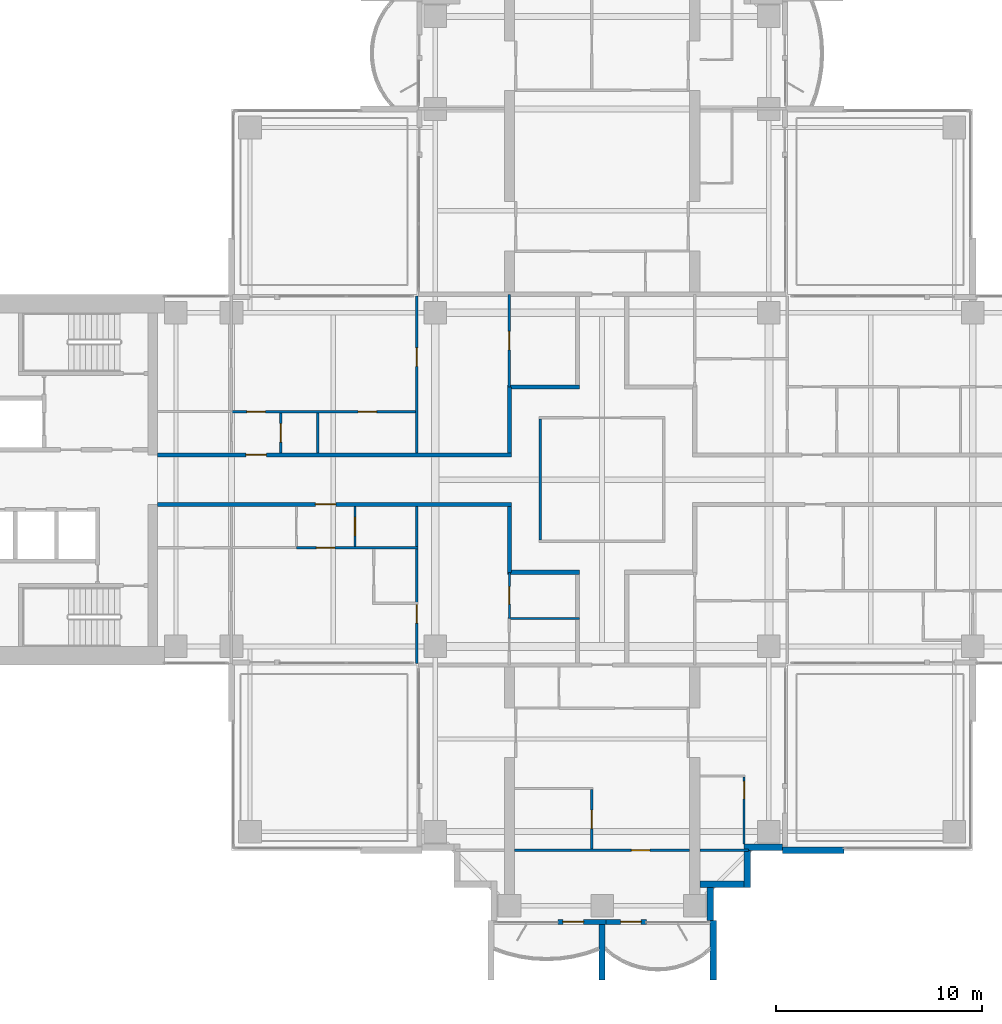
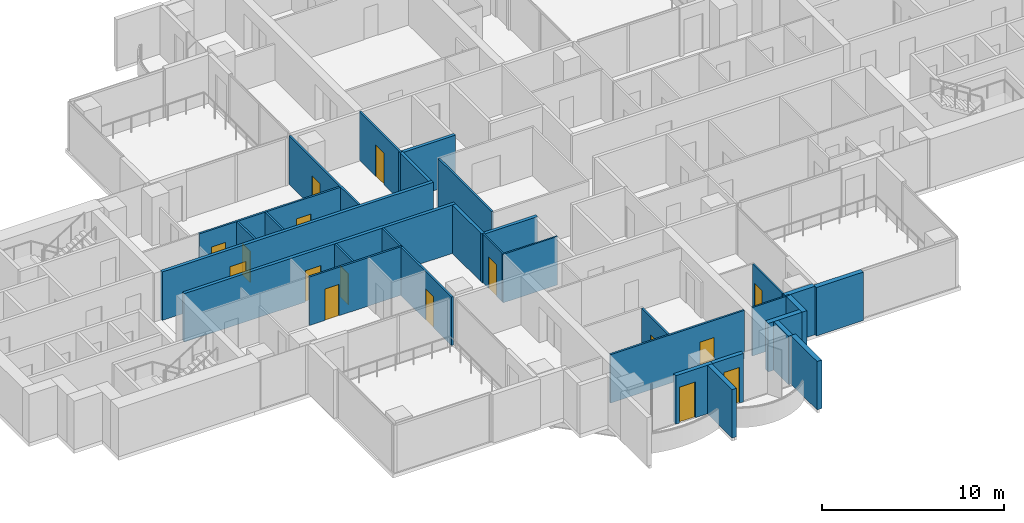
# One storey, part 10 of 19: 30 walls, 16 doors, 16 openings.
"""IFC4 building model written with IfcOpenShell, lengths in metres."""

import ifcopenshell
import ifcopenshell.guid

model = None  # the IFC model being written
_history = None  # IfcOwnerHistory: only IFC2X3 demands one
_inside = {}  # id of a spatial element -> (the spatial element, [elements in it])
_under = {}  # id of a project, library or spatial element -> (it, [spatial elements below it])
_declared = {}  # id of a project -> (the project, [libraries it declares])
_typed = {}  # id of a type object -> (the type object, [elements of that type])
_made_of = {}  # id of a material, layer set ... -> (it, [elements and type objects made of it])


def new_model(schema):
    """Start an empty IFC model of exactly this schema.

    Asked for "IFC4X3", IfcOpenShell would pick the latest addendum, in which some entities
    have other attributes; the version numbers below select the first issue.
    IFC2X3 requires an IfcOwnerHistory on every rooted entity: one is made here for all.
    """
    global model, _history
    if schema == "IFC4X3":
        model = ifcopenshell.file(schema_version=(4, 3, 0, 0))
    else:
        model = ifcopenshell.file(schema=schema)
    _inside.clear()
    _under.clear()
    _declared.clear()
    _typed.clear()
    _made_of.clear()
    _history = None
    if model.schema == "IFC2X3":
        org = make("IfcOrganization", Name="unknown")
        user = make(
            "IfcPersonAndOrganization",
            ThePerson=make("IfcPerson", FamilyName="unknown"),
            TheOrganization=org,
        )
        app = make(
            "IfcApplication",
            ApplicationDeveloper=org,
            Version="unknown",
            ApplicationFullName="unknown",
            ApplicationIdentifier="unknown",
        )
        _history = make(
            "IfcOwnerHistory",
            OwningUser=user,
            OwningApplication=app,
            ChangeAction="ADDED",
            CreationDate=0,
        )
    return model


def make(cls, **values):
    """One entity of the class cls with the attributes given. An attribute that is None is left unset."""
    return model.create_entity(
        cls, **{name: value for name, value in values.items() if value is not None}
    )


def rooted(cls, **values):
    """An entity with a GlobalId (a new one), such as an element, a storey or a relation."""
    return make(cls, GlobalId=ifcopenshell.guid.new(), OwnerHistory=_history, **values)


def si_unit(unit_type, name, prefix=None):
    """IfcSIUnit, for example si_unit("LENGTHUNIT", "METRE", prefix="MILLI")."""
    return make("IfcSIUnit", UnitType=unit_type, Prefix=prefix, Name=name)


def assignment(units):
    """IfcUnitAssignment: the units of a project."""
    return None if units is None else make("IfcUnitAssignment", Units=units)


def point(xyz):
    """IfcCartesianPoint."""
    return None if xyz is None else make("IfcCartesianPoint", Coordinates=xyz)


def direction(xyz):
    """IfcDirection."""
    return None if xyz is None else make("IfcDirection", DirectionRatios=xyz)


def frame(location, z_axis=None, x_axis=None):
    """IfcAxis2Placement3D, a coordinate frame: its origin and axes. An axis left out is left unset."""
    return make(
        "IfcAxis2Placement3D",
        Location=point(location),
        Axis=direction(z_axis),
        RefDirection=direction(x_axis),
    )


def frame_2d(location, x_axis=None):
    """IfcAxis2Placement2D, a coordinate frame in the plane: its origin and x axis."""
    return make(
        "IfcAxis2Placement2D", Location=point(location), RefDirection=direction(x_axis)
    )


def origin():
    """The frame at (0, 0, 0) with its axes left unset."""
    return frame((0.0, 0.0, 0.0))


def place(relative_to, where):
    """IfcLocalPlacement: puts the frame where relative to a parent placement (None: the world)."""
    return make(
        "IfcLocalPlacement", PlacementRelTo=relative_to, RelativePlacement=where
    )


def context(
    kind, dimensions, precision=None, world=None, true_north=None, identifier=None
):
    """IfcGeometricRepresentationContext, for example the 3D "Model" context."""
    return make(
        "IfcGeometricRepresentationContext",
        ContextIdentifier=identifier,
        ContextType=kind,
        CoordinateSpaceDimension=dimensions,
        Precision=precision,
        WorldCoordinateSystem=world,
        TrueNorth=true_north,
    )


def subcontext(parent, identifier, kind, view, scale=None):
    """IfcGeometricRepresentationSubContext, for example "Body" below "Model"."""
    return make(
        "IfcGeometricRepresentationSubContext",
        ContextIdentifier=identifier,
        ContextType=kind,
        ParentContext=parent,
        TargetScale=scale,
        TargetView=view,
    )


def project(units=None, contexts=None):
    """IfcProject with its units and contexts."""
    return rooted(
        "IfcProject",
        Name="project",
        RepresentationContexts=contexts,
        UnitsInContext=assignment(units),
    )


def spatial(cls, under=None, at=None, **own):
    """A site, building, storey or space (cls), placed at a placement, below another one or the project."""
    s = rooted(cls, ObjectPlacement=at, **own)
    if under is not None:
        _under.setdefault(under.id(), (under, []))[1].append(s)
    return s


def profile(cls, at=None, kind="AREA", **sizes):
    """A parametric profile (cls). Its sizes go by their IFC names, for example OverallWidth=200.0."""
    return make(cls, ProfileType=kind, Position=at, **sizes)


def rectangle(**sizes):
    """IfcRectangleProfileDef."""
    return profile("IfcRectangleProfileDef", **sizes)


def extrude(swept, where, along, depth):
    """IfcExtrudedAreaSolid: the profile swept, set in the frame where, extruded along a direction by depth."""
    return make(
        "IfcExtrudedAreaSolid",
        SweptArea=swept,
        Position=where,
        ExtrudedDirection=direction(along),
        Depth=depth,
    )


def shape(context_of_items, identifier, shape_type, items):
    """IfcShapeRepresentation: the items that make up one representation, for example the "Body"."""
    return make(
        "IfcShapeRepresentation",
        ContextOfItems=context_of_items,
        RepresentationIdentifier=identifier,
        RepresentationType=shape_type,
        Items=items,
    )


def material(Name=None, Category=None):
    """IfcMaterial."""
    return make("IfcMaterial", Name=Name, Category=Category)


def layer(
    of_material, thickness, ventilated=None, Name=None, Category=None, Priority=None
):
    """IfcMaterialLayer: one layer of a wall or slab, of a material (None: an air gap)."""
    return make(
        "IfcMaterialLayer",
        Material=of_material,
        LayerThickness=thickness,
        IsVentilated=ventilated,
        Name=Name,
        Category=Category,
        Priority=Priority,
    )


def layer_set(layers, Name=None):
    """IfcMaterialLayerSet."""
    return make("IfcMaterialLayerSet", MaterialLayers=layers, LayerSetName=Name)


def made_of(thing, what):
    """Note that an element or type object is made of a material, layer set ...; save() writes the relation."""
    if what is not None:
        _made_of.setdefault(what.id(), (what, []))[1].append(thing)
    return thing


def type_object(cls, material=None, **own):
    """A type object (cls), such as IfcWallType, which elements share."""
    return made_of(rooted(cls, **own), material)


def element(
    cls,
    number,
    at=None,
    inside=None,
    cuts=None,
    type_object=None,
    material=None,
    context=None,
    identifier="Body",
    shape_type=None,
    held_by="IfcProductDefinitionShape",
    body=None,
    shapes=None,
    **own,
):
    """One element of the class cls, such as IfcWall. Its Tag is "e" and its number.

    at: its placement. inside: the storey or other place that contains it. cuts: it is an
    opening in that element (IfcRelVoidsElement). A single representation is given by context,
    identifier, shape_type and body (its items); several are given by shapes. held_by: the class
    of the entity that holds the representations. save() writes the other relations.
    """
    e = rooted(cls, Tag="e%d" % number, ObjectPlacement=at, **own)
    if body is not None:
        shapes = [shape(context, identifier, shape_type, body)]
    if shapes is not None:
        e.Representation = make(held_by, Representations=shapes)
    if inside is not None:
        _inside.setdefault(inside.id(), (inside, []))[1].append(e)
    if cuts is not None:
        rooted(
            "IfcRelVoidsElement", RelatingBuildingElement=cuts, RelatedOpeningElement=e
        )
    if type_object is not None:
        _typed.setdefault(type_object.id(), (type_object, []))[1].append(e)
    return made_of(e, material)


def fill(opening, filler):
    """IfcRelFillsElement: the door or window that sits in an opening."""
    return rooted(
        "IfcRelFillsElement",
        RelatingOpeningElement=opening,
        RelatedBuildingElement=filler,
    )


def aggregate(whole, parts):
    """IfcRelAggregates: a whole, such as a stair, and the parts it consists of."""
    return rooted("IfcRelAggregates", RelatingObject=whole, RelatedObjects=parts)


def save(model, path):
    """Write the relations noted so far, then the file.

    IfcRelAggregates (storeys below a building ...), IfcRelContainedInSpatialStructure (elements
    in a storey), IfcRelDefinesByType, IfcRelAssociatesMaterial and IfcRelDeclares: one each for
    every whole, place, type object, material and project.
    """
    for whole, parts in _under.values():
        aggregate(whole, parts)
    for where, things in _inside.values():
        rooted(
            "IfcRelContainedInSpatialStructure",
            RelatedElements=things,
            RelatingStructure=where,
        )
    for kind, things in _typed.values():
        rooted("IfcRelDefinesByType", RelatedObjects=things, RelatingType=kind)
    for what, things in _made_of.values():
        rooted("IfcRelAssociatesMaterial", RelatedObjects=things, RelatingMaterial=what)
    for by, libraries in _declared.values():
        rooted("IfcRelDeclares", RelatingContext=by, RelatedDefinitions=libraries)
    model.write(path)


model = new_model("IFC4")

# Units and contexts
model_context = context("Model", 3, precision=1e-05, world=origin(), true_north=direction((0.0, 1.0)))
body_context = subcontext(model_context, "Body", "Model", "MODEL_VIEW")
ifc_project = project(units=[si_unit("LENGTHUNIT", "METRE"), si_unit("AREAUNIT", "SQUARE_METRE"), si_unit("VOLUMEUNIT", "CUBIC_METRE"), si_unit("PLANEANGLEUNIT", "RADIAN"), si_unit("MASSUNIT", "GRAM", prefix="KILO")], contexts=[model_context])

# Site, building, storey
site_placement = place(None, origin())
site = spatial("IfcSite", under=ifc_project, at=site_placement, CompositionType="ELEMENT")
building_placement = place(site_placement, origin())
building = spatial("IfcBuilding", under=site, at=building_placement, Name="Perihelion Cross Residences", CompositionType="ELEMENT")
storey_placement = place(building_placement, frame((0.0, 0.0, 119.89990234375)))
storey = spatial("IfcBuildingStorey", under=building, at=storey_placement, Name="L28", CompositionType="ELEMENT", Elevation=119.89990234375)

# Wall, opening, door
ifc_material_1 = material(Name="Plasterboard partition")
ifc_layer_1 = layer(ifc_material_1, 0.199951171875)
ifc_layer_set_1 = layer_set([ifc_layer_1], Name="Apartment separation wall 200")
wall_type_1 = type_object("IfcWallType", Name="Apartment separation wall 200", PredefinedType="PARTITIONING", material=ifc_layer_set_1)
wall_1_placement = place(storey_placement, frame((-21.60009765625, 1.199951171875, 0.0), z_axis=(0.0, 0.0, 1.0), x_axis=(1.0, 0.0, 0.0)))
wall_1 = element("IfcWall", 1, at=wall_1_placement, inside=storey, type_object=wall_type_1, Name="Partition L28 W013", PredefinedType="PARTITIONING", context=body_context, shape_type="SweptSolid", body=[
    extrude(rectangle(XDim=17.2001953125, YDim=0.199951171875, at=frame_2d((8.60009765625, 0.0))), origin(), (0.0, 0.0, 1.0), 3.25),
])
opening_1_placement = place(wall_1_placement, frame((4.300048828125, 0.0, 0.0)))
opening_1 = element("IfcOpeningElement", 2, at=opening_1_placement, cuts=wall_1, Name="Opening L28.A51", PredefinedType="OPENING", context=body_context, shape_type="SweptSolid", body=[
    extrude(rectangle(XDim=1.0, YDim=2.10009765625, at=frame_2d((0.5, 1.050048828125))), frame((0.0, 0.10986328125, 0.0), z_axis=(0.0, -1.0, 0.0), x_axis=(1.0, 0.0, 0.0)), (0.0, 0.0, 1.0), 0.219970703125),
])
ifc_material_2 = material(Name="Timber door leaf", Category="wood")
door_type_1 = type_object("IfcDoorType", Name="Flat entrance door 1000 x 2100", OperationType="SINGLE_SWING_LEFT", PredefinedType="DOOR", material=ifc_material_2)
door_1_placement = place(opening_1_placement, origin())
door_1 = element("IfcDoor", 3, at=door_1_placement, inside=storey, type_object=door_type_1, Name="Door L28.A51", OperationType="SINGLE_SWING_LEFT", OverallHeight=2.10009765625, OverallWidth=1.0, PredefinedType="DOOR", context=body_context, shape_type="SweptSolid", body=[
    extrude(rectangle(XDim=1.0, YDim=2.10009765625, at=frame_2d((0.5, 1.050048828125))), frame((0.0, 0.02490234375, 0.0), z_axis=(0.0, -1.0, 0.0), x_axis=(1.0, 0.0, 0.0)), (0.0, 0.0, 1.0), 0.050048828125),
])
fill(opening_1, door_1)

# Walls
wall_2_placement = place(storey_placement, frame((-4.5, 1.300048828125, 0.0), z_axis=(0.0, 0.0, 1.0), x_axis=(0.0, 1.0, 0.0)))
element("IfcWall", 4, at=wall_2_placement, inside=storey, type_object=wall_type_1, Name="Partition L28 W014", PredefinedType="PARTITIONING", context=body_context, shape_type="SweptSolid", body=[
    extrude(rectangle(XDim=3.199951171875, YDim=0.199951171875, at=frame_2d((1.60009765625, 0.0))), origin(), (0.0, 0.0, 1.0), 3.25),
])
wall_3_placement = place(storey_placement, frame((-4.60009765625, 4.5, 0.0), z_axis=(0.0, 0.0, 1.0), x_axis=(1.0, 0.0, 0.0)))
element("IfcWall", 5, at=wall_3_placement, inside=storey, type_object=wall_type_1, Name="Partition L28 W015", PredefinedType="PARTITIONING", context=body_context, shape_type="SweptSolid", body=[
    extrude(rectangle(XDim=3.5, YDim=0.199951171875, at=frame_2d((1.75, 0.0))), origin(), (0.0, 0.0, 1.0), 3.25),
])

# Wall, opening, door
wall_4_placement = place(storey_placement, frame((-4.39990234375, -1.199951171875, 0.0), z_axis=(0.0, 0.0, 1.0), x_axis=(-1.0, 0.0, 0.0)))
wall_4 = element("IfcWall", 6, at=wall_4_placement, inside=storey, type_object=wall_type_1, Name="Partition L28 W017", PredefinedType="PARTITIONING", context=body_context, shape_type="SweptSolid", body=[
    extrude(rectangle(XDim=17.2001953125, YDim=0.199951171875, at=frame_2d((8.60009765625, 0.0))), origin(), (0.0, 0.0, 1.0), 3.25),
])
opening_2_placement = place(wall_4_placement, frame((8.52490234375, 0.0, 0.0)))
opening_2 = element("IfcOpeningElement", 7, at=opening_2_placement, cuts=wall_4, Name="Opening L28.A52", PredefinedType="OPENING", context=body_context, shape_type="SweptSolid", body=[
    extrude(rectangle(XDim=1.0, YDim=2.10009765625, at=frame_2d((0.5, 1.050048828125))), frame((0.0, 0.10986328125, 0.0), z_axis=(0.0, -1.0, 0.0), x_axis=(1.0, 0.0, 0.0)), (0.0, 0.0, 1.0), 0.219970703125),
])
door_2_placement = place(opening_2_placement, origin())
door_2 = element("IfcDoor", 8, at=door_2_placement, inside=storey, type_object=door_type_1, Name="Door L28.A52", OperationType="SINGLE_SWING_LEFT", OverallHeight=2.10009765625, OverallWidth=1.0, PredefinedType="DOOR", context=body_context, shape_type="SweptSolid", body=[
    extrude(rectangle(XDim=1.0, YDim=2.10009765625, at=frame_2d((0.5, 1.050048828125))), frame((0.0, 0.02490234375, 0.0), z_axis=(0.0, -1.0, 0.0), x_axis=(1.0, 0.0, 0.0)), (0.0, 0.0, 1.0), 0.050048828125),
])
fill(opening_2, door_2)

# Walls
wall_5_placement = place(storey_placement, frame((-4.5, -4.5, 0.0), z_axis=(0.0, 0.0, 1.0), x_axis=(0.0, 1.0, 0.0)))
element("IfcWall", 9, at=wall_5_placement, inside=storey, type_object=wall_type_1, Name="Partition L28 W018", PredefinedType="PARTITIONING", context=body_context, shape_type="SweptSolid", body=[
    extrude(rectangle(XDim=3.199951171875, YDim=0.199951171875, at=frame_2d((1.60009765625, 0.0))), origin(), (0.0, 0.0, 1.0), 3.25),
])
wall_6_placement = place(storey_placement, frame((-1.10009765625, -4.5, 0.0), z_axis=(0.0, 0.0, 1.0), x_axis=(-1.0, 0.0, 0.0)))
element("IfcWall", 10, at=wall_6_placement, inside=storey, type_object=wall_type_1, Name="Partition L28 W020", PredefinedType="PARTITIONING", context=body_context, shape_type="SweptSolid", body=[
    extrude(rectangle(XDim=3.5, YDim=0.199951171875, at=frame_2d((1.75, 0.0))), origin(), (0.0, 0.0, 1.0), 3.25),
])

# Wall, opening, door
ifc_material_3 = material(Name="Concrete C30/37, bronze-clad", Category="concrete")
ifc_layer_2 = layer(ifc_material_3, 0.25)
ifc_layer_set_2 = layer_set([ifc_layer_2], Name="Bronze-clad pier wall 250")
wall_type_2 = type_object("IfcWallType", Name="Bronze-clad pier wall 250", PredefinedType="SOLIDWALL", material=ifc_layer_set_2)
wall_7_placement = place(storey_placement, frame((-2.14990234375, -21.47509765625, 0.0), z_axis=(0.0, 0.0, 1.0), x_axis=(1.0, 0.0, 0.0)))
wall_7 = element("IfcWall", 11, at=wall_7_placement, inside=storey, type_object=wall_type_2, Name="Wall FW1 L28 south tip south bay 1 pier", PredefinedType="SOLIDWALL", context=body_context, shape_type="SweptSolid", body=[
    extrude(rectangle(XDim=2.349853515625, YDim=0.25, at=frame_2d((1.1748046875, 0.0))), origin(), (0.0, 0.0, 1.0), 3.25),
])
opening_3_placement = place(wall_7_placement, frame((0.25, 0.0, 0.0)))
opening_3 = element("IfcOpeningElement", 12, at=opening_3_placement, cuts=wall_7, Name="Opening L28.E11", PredefinedType="OPENING", context=body_context, shape_type="SweptSolid", body=[
    extrude(rectangle(XDim=1.0, YDim=2.39990234375, at=frame_2d((0.5, 1.199951171875))), frame((0.0, 0.135009765625, 0.0), z_axis=(0.0, -1.0, 0.0), x_axis=(1.0, 0.0, 0.0)), (0.0, 0.0, 1.0), 0.27001953125),
])
ifc_material_4 = material(Name="Bronze anodised aluminium, glazed", Category="aluminium")
door_type_2 = type_object("IfcDoorType", Name="Balcony door 1000 x 2400", OperationType="NOTDEFINED", PredefinedType="DOOR", material=ifc_material_4)
door_3_placement = place(opening_3_placement, origin())
door_3 = element("IfcDoor", 13, at=door_3_placement, inside=storey, type_object=door_type_2, Name="Door L28.E11 south tip south bay 1", OperationType="SINGLE_SWING_RIGHT", OverallHeight=2.39990234375, OverallWidth=1.0, PredefinedType="DOOR", context=body_context, shape_type="SweptSolid", body=[
    extrude(rectangle(XDim=1.0, YDim=2.39990234375, at=frame_2d((0.5, 1.199951171875))), frame((0.0, 0.02490234375, 0.0), z_axis=(0.0, -1.0, 0.0), x_axis=(1.0, 0.0, 0.0)), (0.0, 0.0, 1.0), 0.050048828125),
])
fill(opening_3, door_3)

wall_8_placement = place(storey_placement, frame((0.199951171875, -21.47509765625, 0.0), z_axis=(0.0, 0.0, 1.0), x_axis=(1.0, 0.0, 0.0)))
wall_8 = element("IfcWall", 14, at=wall_8_placement, inside=storey, type_object=wall_type_2, Name="Wall FW1 L28 south tip south bay 2 pier", PredefinedType="SOLIDWALL", context=body_context, shape_type="SweptSolid", body=[
    extrude(rectangle(XDim=1.949951171875, YDim=0.25, at=frame_2d((0.97509765625, 0.0))), origin(), (0.0, 0.0, 1.0), 3.25),
])
opening_4_placement = place(wall_8_placement, frame((0.699951171875, 0.0, 0.0)))
opening_4 = element("IfcOpeningElement", 15, at=opening_4_placement, cuts=wall_8, Name="Opening L28.E12", PredefinedType="OPENING", context=body_context, shape_type="SweptSolid", body=[
    extrude(rectangle(XDim=1.0, YDim=2.39990234375, at=frame_2d((0.5, 1.199951171875))), frame((0.0, 0.135009765625, 0.0), z_axis=(0.0, -1.0, 0.0), x_axis=(1.0, 0.0, 0.0)), (0.0, 0.0, 1.0), 0.27001953125),
])
door_4_placement = place(opening_4_placement, origin())
door_4 = element("IfcDoor", 16, at=door_4_placement, inside=storey, type_object=door_type_2, Name="Door L28.E12 south tip south bay 2", OperationType="SINGLE_SWING_LEFT", OverallHeight=2.39990234375, OverallWidth=1.0, PredefinedType="DOOR", context=body_context, shape_type="SweptSolid", body=[
    extrude(rectangle(XDim=1.0, YDim=2.39990234375, at=frame_2d((0.5, 1.199951171875))), frame((0.0, 0.02490234375, 0.0), z_axis=(0.0, -1.0, 0.0), x_axis=(1.0, 0.0, 0.0)), (0.0, 0.0, 1.0), 0.050048828125),
])
fill(opening_4, door_4)

# Walls
ifc_material_5 = material(Name="Concrete C30/37, bronze-clad", Category="concrete")
ifc_layer_3 = layer(ifc_material_5, 0.300048828125)
ifc_layer_set_3 = layer_set([ifc_layer_3], Name="Bronze-clad serration wall 300")
wall_type_3 = type_object("IfcWallType", Name="Bronze-clad serration wall 300", PredefinedType="SOLIDWALL", material=ifc_layer_set_3)
wall_9_placement = place(storey_placement, frame((5.25, -21.419921875, 0.0), z_axis=(0.0, 0.0, 1.0), x_axis=(0.0, 1.0, 0.0)))
element("IfcWall", 17, at=wall_9_placement, inside=storey, type_object=wall_type_3, Name="Wall SR1 L28 south corner south-east 1", PredefinedType="SOLIDWALL", context=body_context, shape_type="SweptSolid", body=[
    extrude(rectangle(XDim=1.619873046875, YDim=0.300048828125, at=frame_2d((0.81005859375, 0.0))), origin(), (0.0, 0.0, 1.0), 3.25),
])
wall_10_placement = place(storey_placement, frame((4.75, -19.64990234375, 0.0), z_axis=(0.0, 0.0, 1.0), x_axis=(1.0, 0.0, 0.0)))
element("IfcWall", 18, at=wall_10_placement, inside=storey, type_object=wall_type_3, Name="Wall SR1 L28 south corner south-east 2", PredefinedType="SOLIDWALL", context=body_context, shape_type="SweptSolid", body=[
    extrude(rectangle(XDim=2.14990234375, YDim=0.300048828125, at=frame_2d((1.074951171875, 0.0))), origin(), (0.0, 0.0, 1.0), 3.25),
])
wall_11_placement = place(storey_placement, frame((7.050048828125, -19.800048828125, 0.0), z_axis=(0.0, 0.0, 1.0), x_axis=(0.0, 1.0, 0.0)))
element("IfcWall", 19, at=wall_11_placement, inside=storey, type_object=wall_type_3, Name="Wall SR1 L28 south corner south-east 3", PredefinedType="SOLIDWALL", context=body_context, shape_type="SweptSolid", body=[
    extrude(rectangle(XDim=1.800048828125, YDim=0.300048828125, at=frame_2d((0.89990234375, 0.0))), origin(), (0.0, 0.0, 1.0), 3.25),
])
wall_12_placement = place(storey_placement, frame((6.89990234375, -17.85009765625, 0.0), z_axis=(0.0, 0.0, 1.0), x_axis=(1.0, 0.0, 0.0)))
element("IfcWall", 20, at=wall_12_placement, inside=storey, type_object=wall_type_3, Name="Wall SR1 L28 south corner south-east 4", PredefinedType="SOLIDWALL", context=body_context, shape_type="SweptSolid", body=[
    extrude(rectangle(XDim=1.85009765625, YDim=0.300048828125, at=frame_2d((0.925048828125, 0.0))), origin(), (0.0, 0.0, 1.0), 3.25),
])
ifc_material_6 = material(Name="Plasterboard partition")
ifc_layer_4 = layer(ifc_material_6, 0.1201171875)
ifc_layer_set_4 = layer_set([ifc_layer_4], Name="Partition wall 120")
wall_type_4 = type_object("IfcWallType", Name="Partition wall 120", PredefinedType="PARTITIONING", material=ifc_layer_set_4)
wall_13_placement = place(storey_placement, frame((-3.0, 2.93994140625, 0.0), z_axis=(0.0, 0.0, 1.0), x_axis=(0.0, -1.0, 0.0)))
element("IfcWall", 21, at=wall_13_placement, inside=storey, type_object=wall_type_4, Name="Partition L28 W004", PredefinedType="PARTITIONING", context=body_context, shape_type="SweptSolid", body=[
    extrude(rectangle(XDim=5.8798828125, YDim=0.1201171875, at=frame_2d((2.93994140625, 0.0))), origin(), (0.0, 0.0, 1.0), 3.25),
])
wall_14_placement = place(storey_placement, frame((-13.800048828125, 1.300048828125, 0.0), z_axis=(0.0, 0.0, 1.0), x_axis=(0.0, 1.0, 0.0)))
element("IfcWall", 22, at=wall_14_placement, inside=storey, type_object=wall_type_4, Name="Partition L28 W045", PredefinedType="PARTITIONING", context=body_context, shape_type="SweptSolid", body=[
    extrude(rectangle(XDim=1.93994140625, YDim=0.1201171875, at=frame_2d((0.969970703125, 0.0))), origin(), (0.0, 0.0, 1.0), 3.25),
])

# Wall, openings, doors
wall_15_placement = place(storey_placement, frame((-18.0, 3.300048828125, 0.0), z_axis=(0.0, 0.0, 1.0), x_axis=(1.0, 0.0, 0.0)))
wall_15 = element("IfcWall", 23, at=wall_15_placement, inside=storey, type_object=wall_type_4, Name="Partition L28 W046", PredefinedType="PARTITIONING", context=body_context, shape_type="SweptSolid", body=[
    extrude(rectangle(XDim=9.06005859375, YDim=0.1201171875, at=frame_2d((4.530029296875, 0.0))), origin(), (0.0, 0.0, 1.0), 3.25),
])
opening_5_placement = place(wall_15_placement, frame((6.14990234375, 0.0, 0.0)))
opening_5 = element("IfcOpeningElement", 24, at=opening_5_placement, cuts=wall_15, Name="Opening L28.A20", PredefinedType="OPENING", context=body_context, shape_type="SweptSolid", body=[
    extrude(rectangle(XDim=0.89990234375, YDim=2.10009765625, at=frame_2d((0.449951171875, 1.050048828125))), frame((0.0, 0.070068359375, 0.0), z_axis=(0.0, -1.0, 0.0), x_axis=(1.0, 0.0, 0.0)), (0.0, 0.0, 1.0), 0.14013671875),
])
opening_6_placement = place(wall_15_placement, frame((0.75, 0.0, 0.0)))
opening_6 = element("IfcOpeningElement", 25, at=opening_6_placement, cuts=wall_15, Name="Opening L28.A23", PredefinedType="OPENING", context=body_context, shape_type="SweptSolid", body=[
    extrude(rectangle(XDim=0.89990234375, YDim=2.10009765625, at=frame_2d((0.449951171875, 1.050048828125))), frame((0.0, 0.070068359375, 0.0), z_axis=(0.0, -1.0, 0.0), x_axis=(1.0, 0.0, 0.0)), (0.0, 0.0, 1.0), 0.14013671875),
])
ifc_material_7 = material(Name="Timber door leaf", Category="wood")
door_type_3 = type_object("IfcDoorType", Name="Interior room door 900 x 2100", OperationType="SINGLE_SWING_LEFT", PredefinedType="DOOR", material=ifc_material_7)
door_5_placement = place(opening_5_placement, origin())
door_5 = element("IfcDoor", 26, at=door_5_placement, inside=storey, type_object=door_type_3, Name="Door L28.A20", OperationType="SINGLE_SWING_LEFT", OverallHeight=2.10009765625, OverallWidth=0.89990234375, PredefinedType="DOOR", context=body_context, shape_type="SweptSolid", body=[
    extrude(rectangle(XDim=0.89990234375, YDim=2.10009765625, at=frame_2d((0.449951171875, 1.050048828125))), frame((0.0, 0.02490234375, 0.0), z_axis=(0.0, -1.0, 0.0), x_axis=(1.0, 0.0, 0.0)), (0.0, 0.0, 1.0), 0.050048828125),
])
fill(opening_5, door_5)
door_6_placement = place(opening_6_placement, origin())
door_6 = element("IfcDoor", 27, at=door_6_placement, inside=storey, type_object=door_type_3, Name="Door L28.A23", OperationType="SINGLE_SWING_RIGHT", OverallHeight=2.10009765625, OverallWidth=0.89990234375, PredefinedType="DOOR", context=body_context, shape_type="SweptSolid", body=[
    extrude(rectangle(XDim=0.89990234375, YDim=2.10009765625, at=frame_2d((0.449951171875, 1.050048828125))), frame((0.0, 0.02490234375, 0.0), z_axis=(0.0, -1.0, 0.0), x_axis=(1.0, 0.0, 0.0)), (0.0, 0.0, 1.0), 0.050048828125),
])
fill(opening_6, door_6)

# Wall, opening, door
wall_16_placement = place(storey_placement, frame((-9.0, 8.919921875, 0.0), z_axis=(0.0, 0.0, 1.0), x_axis=(0.0, -1.0, 0.0)))
wall_16 = element("IfcWall", 28, at=wall_16_placement, inside=storey, type_object=wall_type_4, Name="Partition L28 W047", PredefinedType="PARTITIONING", context=body_context, shape_type="SweptSolid", body=[
    extrude(rectangle(XDim=7.619873046875, YDim=0.1201171875, at=frame_2d((3.81005859375, 0.0))), origin(), (0.0, 0.0, 1.0), 3.25),
])
opening_7_placement = place(wall_16_placement, frame((2.52001953125, 0.0, 0.0)))
opening_7 = element("IfcOpeningElement", 29, at=opening_7_placement, cuts=wall_16, Name="Opening L28.A21", PredefinedType="OPENING", context=body_context, shape_type="SweptSolid", body=[
    extrude(rectangle(XDim=0.89990234375, YDim=2.10009765625, at=frame_2d((0.449951171875, 1.050048828125))), frame((0.0, 0.070068359375, 0.0), z_axis=(0.0, -1.0, 0.0), x_axis=(1.0, 0.0, 0.0)), (0.0, 0.0, 1.0), 0.14013671875),
])
door_7_placement = place(opening_7_placement, origin())
door_7 = element("IfcDoor", 30, at=door_7_placement, inside=storey, type_object=door_type_3, Name="Door L28.A21", OperationType="SINGLE_SWING_LEFT", OverallHeight=2.10009765625, OverallWidth=0.89990234375, PredefinedType="DOOR", context=body_context, shape_type="SweptSolid", body=[
    extrude(rectangle(XDim=0.89990234375, YDim=2.10009765625, at=frame_2d((0.449951171875, 1.050048828125))), frame((0.0, 0.02490234375, 0.0), z_axis=(0.0, -1.0, 0.0), x_axis=(1.0, 0.0, 0.0)), (0.0, 0.0, 1.0), 0.050048828125),
])
fill(opening_7, door_7)

wall_17_placement = place(storey_placement, frame((-15.60009765625, 1.300048828125, 0.0), z_axis=(0.0, 0.0, 1.0), x_axis=(0.0, 1.0, 0.0)))
wall_17 = element("IfcWall", 31, at=wall_17_placement, inside=storey, type_object=wall_type_4, Name="Partition L28 W048", PredefinedType="PARTITIONING", context=body_context, shape_type="SweptSolid", body=[
    extrude(rectangle(XDim=1.93994140625, YDim=0.1201171875, at=frame_2d((0.969970703125, 0.0))), origin(), (0.0, 0.0, 1.0), 3.25),
])
opening_8_placement = place(wall_17_placement, frame((0.52001953125, 0.0, 0.0)))
opening_8 = element("IfcOpeningElement", 32, at=opening_8_placement, cuts=wall_17, Name="Opening L28.A25", PredefinedType="OPENING", context=body_context, shape_type="SweptSolid", body=[
    extrude(rectangle(XDim=0.89990234375, YDim=2.10009765625, at=frame_2d((0.449951171875, 1.050048828125))), frame((0.0, 0.070068359375, 0.0), z_axis=(0.0, -1.0, 0.0), x_axis=(1.0, 0.0, 0.0)), (0.0, 0.0, 1.0), 0.14013671875),
])
door_8_placement = place(opening_8_placement, origin())
door_8 = element("IfcDoor", 33, at=door_8_placement, inside=storey, type_object=door_type_3, Name="Door L28.A25", OperationType="SINGLE_SWING_LEFT", OverallHeight=2.10009765625, OverallWidth=0.89990234375, PredefinedType="DOOR", context=body_context, shape_type="SweptSolid", body=[
    extrude(rectangle(XDim=0.89990234375, YDim=2.10009765625, at=frame_2d((0.449951171875, 1.050048828125))), frame((0.0, 0.02490234375, 0.0), z_axis=(0.0, -1.0, 0.0), x_axis=(1.0, 0.0, 0.0)), (0.0, 0.0, 1.0), 0.050048828125),
])
fill(opening_8, door_8)

wall_18_placement = place(storey_placement, frame((-4.5, 9.0, 0.0), z_axis=(0.0, 0.0, 1.0), x_axis=(0.0, -1.0, 0.0)))
wall_18 = element("IfcWall", 34, at=wall_18_placement, inside=storey, type_object=wall_type_4, Name="Partition L28 W052", PredefinedType="PARTITIONING", context=body_context, shape_type="SweptSolid", body=[
    extrude(rectangle(XDim=4.5, YDim=0.1201171875, at=frame_2d((2.25, 0.0))), origin(), (0.0, 0.0, 1.0), 3.25),
])
opening_9_placement = place(wall_18_placement, frame((1.800048828125, 0.0, 0.0)))
opening_9 = element("IfcOpeningElement", 35, at=opening_9_placement, cuts=wall_18, Name="Opening L28.A22", PredefinedType="OPENING", context=body_context, shape_type="SweptSolid", body=[
    extrude(rectangle(XDim=0.89990234375, YDim=2.10009765625, at=frame_2d((0.449951171875, 1.050048828125))), frame((0.0, 0.070068359375, 0.0), z_axis=(0.0, -1.0, 0.0), x_axis=(1.0, 0.0, 0.0)), (0.0, 0.0, 1.0), 0.14013671875),
])
door_9_placement = place(opening_9_placement, origin())
door_9 = element("IfcDoor", 36, at=door_9_placement, inside=storey, type_object=door_type_3, Name="Door L28.A22", OperationType="SINGLE_SWING_LEFT", OverallHeight=2.10009765625, OverallWidth=0.89990234375, PredefinedType="DOOR", context=body_context, shape_type="SweptSolid", body=[
    extrude(rectangle(XDim=0.89990234375, YDim=2.10009765625, at=frame_2d((0.449951171875, 1.050048828125))), frame((0.0, 0.02490234375, 0.0), z_axis=(0.0, -1.0, 0.0), x_axis=(1.0, 0.0, 0.0)), (0.0, 0.0, 1.0), 0.050048828125),
])
fill(opening_9, door_9)

wall_19_placement = place(storey_placement, frame((-12.0, -3.239990234375, 0.0), z_axis=(0.0, 0.0, 1.0), x_axis=(0.0, 1.0, 0.0)))
wall_19 = element("IfcWall", 37, at=wall_19_placement, inside=storey, type_object=wall_type_4, Name="Partition L28 W053", PredefinedType="PARTITIONING", context=body_context, shape_type="SweptSolid", body=[
    extrude(rectangle(XDim=1.93994140625, YDim=0.1201171875, at=frame_2d((0.969970703125, 0.0))), origin(), (0.0, 0.0, 1.0), 3.25),
])
opening_10_placement = place(wall_19_placement, frame((0.52001953125, 0.0, 0.0)))
opening_10 = element("IfcOpeningElement", 38, at=opening_10_placement, cuts=wall_19, Name="Opening L28.A29", PredefinedType="OPENING", context=body_context, shape_type="SweptSolid", body=[
    extrude(rectangle(XDim=0.89990234375, YDim=2.10009765625, at=frame_2d((0.449951171875, 1.050048828125))), frame((0.0, 0.070068359375, 0.0), z_axis=(0.0, -1.0, 0.0), x_axis=(1.0, 0.0, 0.0)), (0.0, 0.0, 1.0), 0.14013671875),
])
door_10_placement = place(opening_10_placement, origin())
door_10 = element("IfcDoor", 39, at=door_10_placement, inside=storey, type_object=door_type_3, Name="Door L28.A29", OperationType="SINGLE_SWING_LEFT", OverallHeight=2.10009765625, OverallWidth=0.89990234375, PredefinedType="DOOR", context=body_context, shape_type="SweptSolid", body=[
    extrude(rectangle(XDim=0.89990234375, YDim=2.10009765625, at=frame_2d((0.449951171875, 1.050048828125))), frame((0.0, 0.02490234375, 0.0), z_axis=(0.0, -1.0, 0.0), x_axis=(1.0, 0.0, 0.0)), (0.0, 0.0, 1.0), 0.050048828125),
])
fill(opening_10, door_10)

wall_20_placement = place(storey_placement, frame((-8.93994140625, -3.300048828125, 0.0), z_axis=(0.0, 0.0, 1.0), x_axis=(-1.0, 0.0, 0.0)))
wall_20 = element("IfcWall", 40, at=wall_20_placement, inside=storey, type_object=wall_type_4, Name="Partition L28 W054", PredefinedType="PARTITIONING", context=body_context, shape_type="SweptSolid", body=[
    extrude(rectangle(XDim=5.91015625, YDim=0.1201171875, at=frame_2d((2.955078125, 0.0))), origin(), (0.0, 0.0, 1.0), 3.25),
])
opening_11_placement = place(wall_20_placement, frame((4.034912109375, 0.0, 0.0)))
opening_11 = element("IfcOpeningElement", 41, at=opening_11_placement, cuts=wall_20, Name="Opening L28.A34", PredefinedType="OPENING", context=body_context, shape_type="SweptSolid", body=[
    extrude(rectangle(XDim=0.89990234375, YDim=2.10009765625, at=frame_2d((0.449951171875, 1.050048828125))), frame((0.0, 0.070068359375, 0.0), z_axis=(0.0, -1.0, 0.0), x_axis=(1.0, 0.0, 0.0)), (0.0, 0.0, 1.0), 0.14013671875),
])
door_11_placement = place(opening_11_placement, origin())
door_11 = element("IfcDoor", 42, at=door_11_placement, inside=storey, type_object=door_type_3, Name="Door L28.A34", OperationType="SINGLE_SWING_RIGHT", OverallHeight=2.10009765625, OverallWidth=0.89990234375, PredefinedType="DOOR", context=body_context, shape_type="SweptSolid", body=[
    extrude(rectangle(XDim=0.89990234375, YDim=2.10009765625, at=frame_2d((0.449951171875, 1.050048828125))), frame((0.0, 0.02490234375, 0.0), z_axis=(0.0, -1.0, 0.0), x_axis=(1.0, 0.0, 0.0)), (0.0, 0.0, 1.0), 0.050048828125),
])
fill(opening_11, door_11)

wall_21_placement = place(storey_placement, frame((-9.0, -1.300048828125, 0.0), z_axis=(0.0, 0.0, 1.0), x_axis=(0.0, -1.0, 0.0)))
wall_21 = element("IfcWall", 43, at=wall_21_placement, inside=storey, type_object=wall_type_4, Name="Partition L28 W055", PredefinedType="PARTITIONING", context=body_context, shape_type="SweptSolid", body=[
    extrude(rectangle(XDim=7.619873046875, YDim=0.1201171875, at=frame_2d((3.81005859375, 0.0))), origin(), (0.0, 0.0, 1.0), 3.25),
])
opening_12_placement = place(wall_21_placement, frame((4.77001953125, 0.0, 0.0)))
opening_12 = element("IfcOpeningElement", 44, at=opening_12_placement, cuts=wall_21, Name="Opening L28.A28", PredefinedType="OPENING", context=body_context, shape_type="SweptSolid", body=[
    extrude(rectangle(XDim=0.89990234375, YDim=2.10009765625, at=frame_2d((0.449951171875, 1.050048828125))), frame((0.0, 0.070068359375, 0.0), z_axis=(0.0, -1.0, 0.0), x_axis=(1.0, 0.0, 0.0)), (0.0, 0.0, 1.0), 0.14013671875),
])
door_12_placement = place(opening_12_placement, origin())
door_12 = element("IfcDoor", 45, at=door_12_placement, inside=storey, type_object=door_type_3, Name="Door L28.A28", OperationType="SINGLE_SWING_RIGHT", OverallHeight=2.10009765625, OverallWidth=0.89990234375, PredefinedType="DOOR", context=body_context, shape_type="SweptSolid", body=[
    extrude(rectangle(XDim=0.89990234375, YDim=2.10009765625, at=frame_2d((0.449951171875, 1.050048828125))), frame((0.0, 0.02490234375, 0.0), z_axis=(0.0, -1.0, 0.0), x_axis=(1.0, 0.0, 0.0)), (0.0, 0.0, 1.0), 0.050048828125),
])
fill(opening_12, door_12)

wall_22_placement = place(storey_placement, frame((-0.5, -17.93994140625, 0.0), z_axis=(0.0, 0.0, 1.0), x_axis=(0.0, 1.0, 0.0)))
wall_22 = element("IfcWall", 46, at=wall_22_placement, inside=storey, type_object=wall_type_4, Name="Partition L28 W085", PredefinedType="PARTITIONING", context=body_context, shape_type="SweptSolid", body=[
    extrude(rectangle(XDim=2.8798828125, YDim=0.1201171875, at=frame_2d((1.43994140625, 0.0))), origin(), (0.0, 0.0, 1.0), 3.25),
])
opening_13_placement = place(wall_22_placement, frame((0.989990234375, 0.0, 0.0)))
opening_13 = element("IfcOpeningElement", 47, at=opening_13_placement, cuts=wall_22, Name="Opening L28.A46", PredefinedType="OPENING", context=body_context, shape_type="SweptSolid", body=[
    extrude(rectangle(XDim=0.89990234375, YDim=2.10009765625, at=frame_2d((0.449951171875, 1.050048828125))), frame((0.0, 0.070068359375, 0.0), z_axis=(0.0, -1.0, 0.0), x_axis=(1.0, 0.0, 0.0)), (0.0, 0.0, 1.0), 0.14013671875),
])
door_13_placement = place(opening_13_placement, origin())
door_13 = element("IfcDoor", 48, at=door_13_placement, inside=storey, type_object=door_type_3, Name="Door L28.A46", OperationType="SINGLE_SWING_RIGHT", OverallHeight=2.10009765625, OverallWidth=0.89990234375, PredefinedType="DOOR", context=body_context, shape_type="SweptSolid", body=[
    extrude(rectangle(XDim=0.89990234375, YDim=2.10009765625, at=frame_2d((0.449951171875, 1.050048828125))), frame((0.0, 0.02490234375, 0.0), z_axis=(0.0, -1.0, 0.0), x_axis=(1.0, 0.0, 0.0)), (0.0, 0.0, 1.0), 0.050048828125),
])
fill(opening_13, door_13)

wall_23_placement = place(storey_placement, frame((4.25, -18.0, 0.0), z_axis=(0.0, 0.0, 1.0), x_axis=(-1.0, 0.0, 0.0)))
wall_23 = element("IfcWall", 49, at=wall_23_placement, inside=storey, type_object=wall_type_4, Name="Partition L28 W087", PredefinedType="PARTITIONING", context=body_context, shape_type="SweptSolid", body=[
    extrude(rectangle(XDim=8.5, YDim=0.1201171875, at=frame_2d((4.25, 0.0))), origin(), (0.0, 0.0, 1.0), 3.25),
])
opening_14_placement = place(wall_23_placement, frame((1.925048828125, 0.0, 0.0)))
opening_14 = element("IfcOpeningElement", 50, at=opening_14_placement, cuts=wall_23, Name="Opening L28.A47", PredefinedType="OPENING", context=body_context, shape_type="SweptSolid", body=[
    extrude(rectangle(XDim=0.89990234375, YDim=2.10009765625, at=frame_2d((0.449951171875, 1.050048828125))), frame((0.0, 0.070068359375, 0.0), z_axis=(0.0, -1.0, 0.0), x_axis=(1.0, 0.0, 0.0)), (0.0, 0.0, 1.0), 0.14013671875),
])
door_14_placement = place(opening_14_placement, origin())
door_14 = element("IfcDoor", 51, at=door_14_placement, inside=storey, type_object=door_type_3, Name="Door L28.A47", OperationType="SINGLE_SWING_RIGHT", OverallHeight=2.10009765625, OverallWidth=0.89990234375, PredefinedType="DOOR", context=body_context, shape_type="SweptSolid", body=[
    extrude(rectangle(XDim=0.89990234375, YDim=2.10009765625, at=frame_2d((0.449951171875, 1.050048828125))), frame((0.0, 0.02490234375, 0.0), z_axis=(0.0, -1.0, 0.0), x_axis=(1.0, 0.0, 0.0)), (0.0, 0.0, 1.0), 0.050048828125),
])
fill(opening_14, door_14)

# Walls
ifc_material_8 = material(Name="Precast concrete C50/60", Category="concrete")
ifc_layer_5 = layer(ifc_material_8, 0.300048828125)
ifc_layer_set_5 = layer_set([ifc_layer_5], Name="Precast concrete C50/60 blade wall 300")
wall_type_5 = type_object("IfcWallType", Name="Precast concrete C50/60 blade wall 300", PredefinedType="SOLIDWALL", material=ifc_layer_set_5)
wall_24_placement = place(storey_placement, frame((0.0, -21.60009765625, 0.0), z_axis=(0.0, 0.0, 1.0), x_axis=(0.0, -1.0, 0.0)))
element("IfcWall", 52, at=wall_24_placement, inside=storey, type_object=wall_type_5, Name="Wall BL1 L28 no. 8", PredefinedType="SOLIDWALL", context=body_context, shape_type="SweptSolid", body=[
    extrude(rectangle(XDim=2.699951171875, YDim=0.300048828125, at=frame_2d((1.35009765625, 0.0))), origin(), (0.0, 0.0, 1.0), 3.25),
])
wall_25_placement = place(storey_placement, frame((5.39990234375, -21.419921875, 0.0), z_axis=(0.0, 0.0, 1.0), x_axis=(0.0, -1.0, 0.0)))
element("IfcWall", 53, at=wall_25_placement, inside=storey, type_object=wall_type_5, Name="Wall BL1 L28 no. 12", PredefinedType="SOLIDWALL", context=body_context, shape_type="SweptSolid", body=[
    extrude(rectangle(XDim=2.880126953125, YDim=0.300048828125, at=frame_2d((1.43994140625, 0.0))), origin(), (0.0, 0.0, 1.0), 3.25),
])
wall_26_placement = place(storey_placement, frame((8.75, -18.0, 0.0), z_axis=(0.0, 0.0, 1.0), x_axis=(1.0, 0.0, 0.0)))
element("IfcWall", 54, at=wall_26_placement, inside=storey, type_object=wall_type_5, Name="Wall BL1 L28 no. 14", PredefinedType="SOLIDWALL", context=body_context, shape_type="SweptSolid", body=[
    extrude(rectangle(XDim=2.989990234375, YDim=0.300048828125, at=frame_2d((1.4951171875, 0.0))), origin(), (0.0, 0.0, 1.0), 3.25),
])

# Wall, opening, door
ifc_material_9 = material(Name="Plasterboard partition")
ifc_layer_6 = layer(ifc_material_9, 0.10009765625)
ifc_layer_set_6 = layer_set([ifc_layer_6], Name="Wet room wall 100")
wall_type_6 = type_object("IfcWallType", Name="Wet room wall 100", PredefinedType="PARTITIONING", material=ifc_layer_set_6)
wall_27_placement = place(storey_placement, frame((-4.5, -4.5, 0.0), z_axis=(0.0, 0.0, 1.0), x_axis=(0.0, -1.0, 0.0)))
wall_27 = element("IfcWall", 55, at=wall_27_placement, inside=storey, type_object=wall_type_6, Name="Partition L28 W063", PredefinedType="PARTITIONING", context=body_context, shape_type="SweptSolid", body=[
    extrude(rectangle(XDim=2.25, YDim=0.10009765625, at=frame_2d((1.125, 0.0))), origin(), (0.0, 0.0, 1.0), 3.25),
])
opening_15_placement = place(wall_27_placement, frame((0.699951171875, 0.0, 0.0)))
opening_15 = element("IfcOpeningElement", 56, at=opening_15_placement, cuts=wall_27, Name="Opening L28.A27", PredefinedType="OPENING", context=body_context, shape_type="SweptSolid", body=[
    extrude(rectangle(XDim=0.85009765625, YDim=2.10009765625, at=frame_2d((0.425048828125, 1.050048828125))), frame((0.0, 0.06005859375, 0.0), z_axis=(0.0, -1.0, 0.0), x_axis=(1.0, 0.0, 0.0)), (0.0, 0.0, 1.0), 0.1201171875),
])
ifc_material_10 = material(Name="Timber door leaf", Category="wood")
door_type_4 = type_object("IfcDoorType", Name="Interior bathroom door 850 x 2100", OperationType="SINGLE_SWING_LEFT", PredefinedType="DOOR", material=ifc_material_10)
door_15_placement = place(opening_15_placement, origin())
door_15 = element("IfcDoor", 57, at=door_15_placement, inside=storey, type_object=door_type_4, Name="Door L28.A27", OperationType="SINGLE_SWING_LEFT", OverallHeight=2.10009765625, OverallWidth=0.85009765625, PredefinedType="DOOR", context=body_context, shape_type="SweptSolid", body=[
    extrude(rectangle(XDim=0.85009765625, YDim=2.10009765625, at=frame_2d((0.425048828125, 1.050048828125))), frame((0.0, 0.02490234375, 0.0), z_axis=(0.0, -1.0, 0.0), x_axis=(1.0, 0.0, 0.0)), (0.0, 0.0, 1.0), 0.050048828125),
])
fill(opening_15, door_15)

# Wall
wall_28_placement = place(storey_placement, frame((-1.10009765625, -6.75, 0.0), z_axis=(0.0, 0.0, 1.0), x_axis=(-1.0, 0.0, 0.0)))
element("IfcWall", 58, at=wall_28_placement, inside=storey, type_object=wall_type_6, Name="Partition L28 W065", PredefinedType="PARTITIONING", context=body_context, shape_type="SweptSolid", body=[
    extrude(rectangle(XDim=3.4599609375, YDim=0.10009765625, at=frame_2d((1.72998046875, 0.0))), origin(), (0.0, 0.0, 1.0), 3.25),
])

# Wall, opening, door
wall_29_placement = place(storey_placement, frame((6.89990234375, -17.699951171875, 0.0), z_axis=(0.0, 0.0, 1.0), x_axis=(0.0, 1.0, 0.0)))
wall_29 = element("IfcWall", 59, at=wall_29_placement, inside=storey, type_object=wall_type_6, Name="Partition L28 W088", PredefinedType="PARTITIONING", context=body_context, shape_type="SweptSolid", body=[
    extrude(rectangle(XDim=3.25, YDim=0.10009765625, at=frame_2d((1.625, 0.0))), origin(), (0.0, 0.0, 1.0), 3.25),
])
opening_16_placement = place(wall_29_placement, frame((2.199951171875, 0.0, 0.0)))
opening_16 = element("IfcOpeningElement", 60, at=opening_16_placement, cuts=wall_29, Name="Opening L28.A48", PredefinedType="OPENING", context=body_context, shape_type="SweptSolid", body=[
    extrude(rectangle(XDim=0.85009765625, YDim=2.10009765625, at=frame_2d((0.425048828125, 1.050048828125))), frame((0.0, 0.06005859375, 0.0), z_axis=(0.0, -1.0, 0.0), x_axis=(1.0, 0.0, 0.0)), (0.0, 0.0, 1.0), 0.1201171875),
])
door_16_placement = place(opening_16_placement, origin())
door_16 = element("IfcDoor", 61, at=door_16_placement, inside=storey, type_object=door_type_4, Name="Door L28.A48", OperationType="SINGLE_SWING_LEFT", OverallHeight=2.10009765625, OverallWidth=0.85009765625, PredefinedType="DOOR", context=body_context, shape_type="SweptSolid", body=[
    extrude(rectangle(XDim=0.85009765625, YDim=2.10009765625, at=frame_2d((0.425048828125, 1.050048828125))), frame((0.0, 0.02490234375, 0.0), z_axis=(0.0, -1.0, 0.0), x_axis=(1.0, 0.0, 0.0)), (0.0, 0.0, 1.0), 0.050048828125),
])
fill(opening_16, door_16)

# Wall
wall_30_placement = place(storey_placement, frame((7.1201171875, -18.0, 0.0), z_axis=(0.0, 0.0, 1.0), x_axis=(-1.0, 0.0, 0.0)))
element("IfcWall", 62, at=wall_30_placement, inside=storey, type_object=wall_type_6, Name="Partition L28 W090", PredefinedType="PARTITIONING", context=body_context, shape_type="SweptSolid", body=[
    extrude(rectangle(XDim=2.3701171875, YDim=0.10009765625, at=frame_2d((1.18505859375, 0.0))), origin(), (0.0, 0.0, 1.0), 3.25),
])

save(model, "model.ifc")
